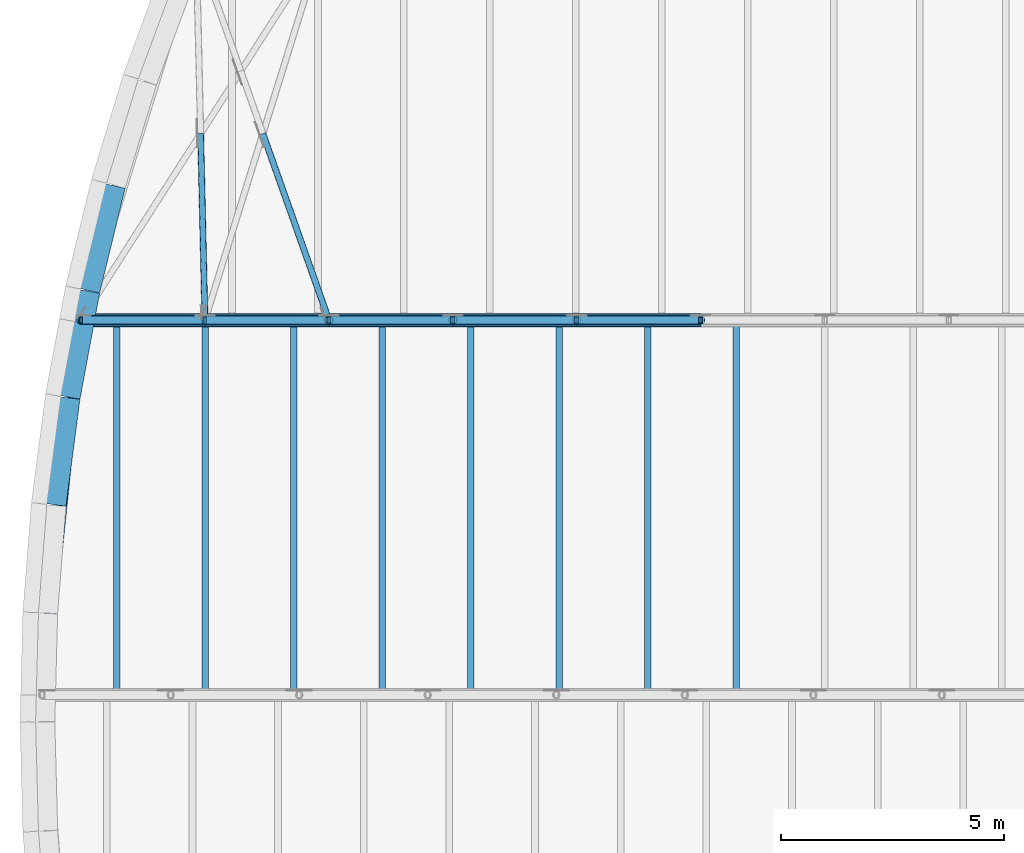
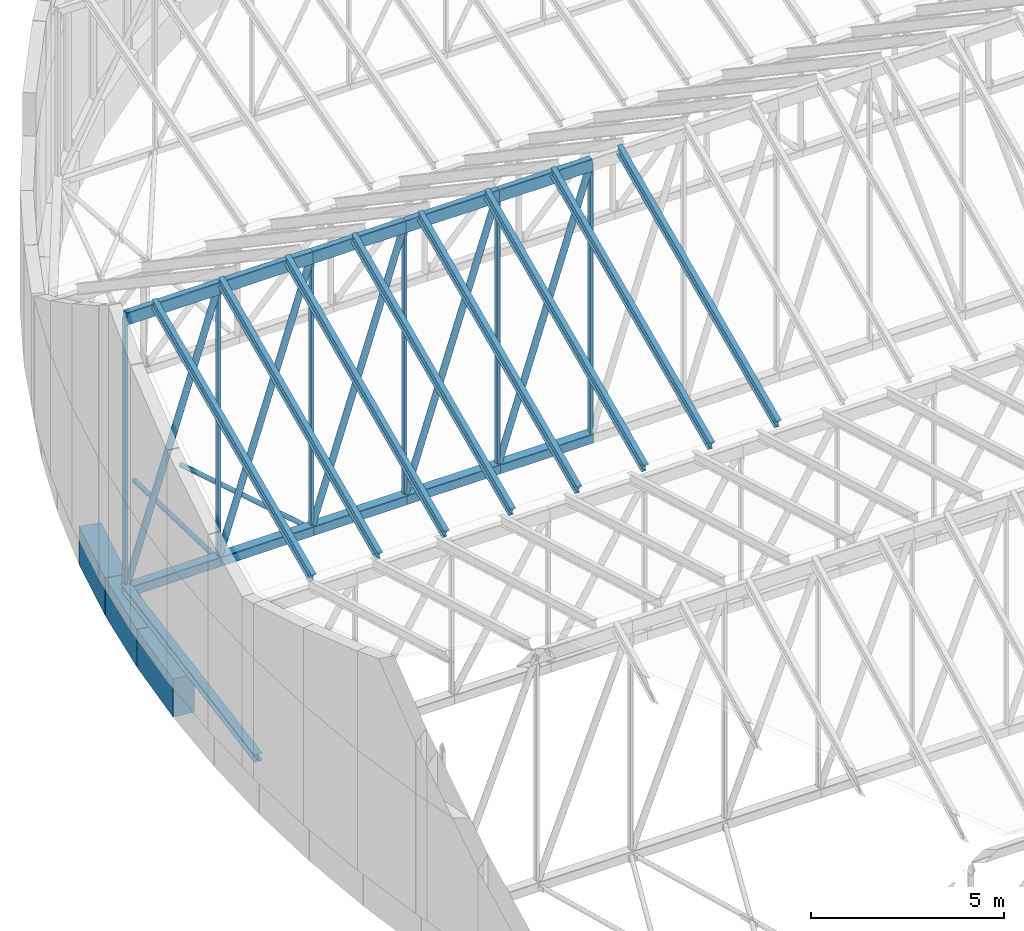
# One storey, part 20 of 68: 21 members, 14 beams.
"""IFC4 building model written with IfcOpenShell, lengths in metres."""

from ifc_helpers import new_model, si_unit, direction, frame, origin, origin_2d, place, context, subcontext, project, spatial, rectangle, hollow_rectangle, hollow_circle, i_section, extrude, material, material_profile, profile_set, type_object, element, save


model = new_model("IFC4")

# Units and contexts
model_context = context("Model", 3, precision=1e-05, world=origin(), true_north=direction((0.0, 1.0)))
body_context = subcontext(model_context, "Body", "Model", "MODEL_VIEW")
ifc_project = project(units=[si_unit("LENGTHUNIT", "METRE"), si_unit("AREAUNIT", "SQUARE_METRE"), si_unit("VOLUMEUNIT", "CUBIC_METRE"), si_unit("PLANEANGLEUNIT", "RADIAN"), si_unit("MASSUNIT", "GRAM", prefix="KILO")], contexts=[model_context])

# Site, building, storey
site_placement = place(None, origin())
site = spatial("IfcSite", under=ifc_project, at=site_placement, CompositionType="ELEMENT")
building_placement = place(site_placement, origin())
building = spatial("IfcBuilding", under=site, at=building_placement, Name="Larchfold Concert Hall", CompositionType="ELEMENT")
storey_placement = place(building_placement, frame((0.0, 0.0, 28.800048828125)))
storey = spatial("IfcBuildingStorey", under=building, at=storey_placement, Name="L06", CompositionType="ELEMENT", Elevation=28.800048828125)

# Beams
ifc_material_1 = material(Name="Concrete C40/50", Category="concrete")
ifc_material_profile_1 = material_profile(ifc_material_1, rectangle(XDim=0.60009765625, YDim=1.199951171875, at=origin_2d()))
ifc_profile_set_1 = profile_set([ifc_material_profile_1], Name="Concrete C40/50")
beam_type_1 = type_object("IfcBeamType", Name="Beam RC 600x1200", PredefinedType="BEAM", material=ifc_profile_set_1)
beam_1_placement = place(storey_placement, frame((19.683349609375, 96.623046875, -0.60009765625), z_axis=(-0.23594691304, -0.971765946217, 0.0), x_axis=(0.971765946217, -0.23594691304, 0.0)))
element("IfcBeam", 1, at=beam_1_placement, inside=storey, type_object=beam_type_1, Name="Beam RB34", PredefinedType="BEAM", context=body_context, shape_type="SweptSolid", body=[
    extrude(rectangle(XDim=0.60009765625, YDim=1.199951171875, at=origin_2d()), origin(), (0.0, 0.0, 1.0), 2.417236328125),
])
beam_2_placement = place(storey_placement, frame((19.109619140625, 94.258056640625, -0.60009765625), z_axis=(-0.182367681117, -0.98323040478, 0.0), x_axis=(0.98323040478, -0.182367681117, 0.0)))
element("IfcBeam", 2, at=beam_2_placement, inside=storey, type_object=beam_type_1, Name="Beam RB35", PredefinedType="BEAM", context=body_context, shape_type="SweptSolid", body=[
    extrude(rectangle(XDim=0.60009765625, YDim=1.199951171875, at=origin_2d()), origin(), (0.0, 0.0, 1.0), 2.417724609375),
])
beam_3_placement = place(storey_placement, frame((18.666259765625, 91.865234375, -0.60009765625), z_axis=(-0.12973626617, -0.991548537007, 0.0), x_axis=(0.991548537007, -0.12973626617, 0.0)))
element("IfcBeam", 3, at=beam_3_placement, inside=storey, type_object=beam_type_1, Name="Beam RB36", PredefinedType="BEAM", context=body_context, shape_type="SweptSolid", body=[
    extrude(rectangle(XDim=0.60009765625, YDim=1.199951171875, at=origin_2d()), origin(), (0.0, 0.0, 1.0), 2.418212890625),
])

# Members
ifc_material_2 = material(Name="Steel S355J2H", Category="steel")
ifc_material_profile_2 = material_profile(ifc_material_2, hollow_circle(Radius=0.06982421875, WallThickness=0.00634765625, at=origin_2d()))
ifc_profile_set_2 = profile_set([ifc_material_profile_2], Name="Steel S355J2H")
member_type_1 = type_object("IfcMemberType", Name="Bracing CHS 139.7x6.3", PredefinedType="BRACE", material=ifc_profile_set_2)
member_1_placement = place(storey_placement, frame((21.765380859375, 93.60009765625, 0.0), z_axis=(-0.02323867062, 0.999729945629, 0.0), x_axis=(-0.999729945629, -0.02323867062, 0.0)))
element("IfcMember", 4, at=member_1_placement, inside=storey, type_object=member_type_1, Name="Member FB026", PredefinedType="BRACE", context=body_context, shape_type="SweptSolid", body=[
    extrude(hollow_circle(Radius=0.06982421875, WallThickness=0.00634765625, at=origin_2d()), origin(), (0.0, 0.0, 1.0), 4.181396484375),
])
member_2_placement = place(storey_placement, frame((24.54345703125, 93.60009765625, 0.0), z_axis=(-0.333681020265, 0.942686043556, 0.0), x_axis=(-0.942686043556, -0.333681020265, 0.0)))
element("IfcMember", 5, at=member_2_placement, inside=storey, type_object=member_type_1, Name="Member FB029", PredefinedType="BRACE", context=body_context, shape_type="SweptSolid", body=[
    extrude(hollow_circle(Radius=0.06982421875, WallThickness=0.00634765625, at=origin_2d()), origin(), (0.0, 0.0, 1.0), 4.4345703125),
])
ifc_material_3 = material(Name="Steel S355", Category="steel")
ifc_material_profile_3 = material_profile(ifc_material_3, i_section(OverallWidth=0.14990234375, OverallDepth=0.300048828125, WebThickness=0.007080078125, FlangeThickness=0.0107421875, FilletRadius=0.014892578125, at=origin_2d()))
ifc_profile_set_3 = profile_set([ifc_material_profile_3], Name="Steel S355")
member_type_2 = type_object("IfcMemberType", Name="Rafter IPE 300", PredefinedType="RAFTER", material=ifc_profile_set_3)
for number, where, z_axis, x_axis, name in (
    (6, (19.78759765625, 85.280029296875, 5.144775390625), (0.0, 0.911121197743, 0.412138524072), (-1.0, 0.0, 0.0), "Member RF0066"),
    (7, (21.771240234375, 85.280029296875, 5.144775390625), (0.0, 0.911121197743, 0.412138524072), (-1.0, 0.0, 0.0), "Member RF0067"),
    (8, (23.7548828125, 85.280029296875, 5.144775390625), (0.0, 0.911121197743, 0.412138524072), (-1.0, 0.0, 0.0), "Member RF0068"),
    (9, (25.73876953125, 85.280029296875, 5.144775390625), (0.0, 0.911121197743, 0.412138524072), (-1.0, 0.0, 0.0), "Member RF0069"),
    (10, (27.722412109375, 85.280029296875, 5.144775390625), (0.0, 0.911121197743, 0.412138524072), (-1.0, 0.0, 0.0), "Member RF0070"),
    (11, (29.7060546875, 85.280029296875, 5.144775390625), (0.0, 0.911121197743, 0.412138524072), (-1.0, 0.0, 0.0), "Member RF0071"),
    (12, (31.689697265625, 85.280029296875, 5.144775390625), (0.0, 0.911121197743, 0.412138524072), (-1.0, 0.0, 0.0), "Member RF0072"),
    (13, (33.67333984375, 85.280029296875, 5.144775390625), (0.0, 0.911121197743, 0.412138524072), (-1.0, 0.0, 0.0), "Member RF0073"),
):
    element("IfcMember", number, at=place(storey_placement, frame(where, z_axis=z_axis, x_axis=x_axis)), inside=storey, type_object=member_type_2, Name=name, PredefinedType="RAFTER", context=body_context, shape_type="SweptSolid", body=[
        extrude(i_section(OverallWidth=0.14990234375, OverallDepth=0.300048828125, WebThickness=0.007080078125, FlangeThickness=0.0107421875, FilletRadius=0.014892578125, at=origin_2d()), origin(), (0.0, 0.0, 1.0), 9.043701171875),
    ])

# Beams
ifc_material_4 = material(Name="Steel S355", Category="steel")
ifc_material_profile_4 = material_profile(ifc_material_4, i_section(OverallWidth=0.239990234375, OverallDepth=0.22998046875, WebThickness=0.007568359375, FlangeThickness=0.011962890625, FilletRadius=0.02099609375, at=origin_2d()))
ifc_profile_set_4 = profile_set([ifc_material_profile_4], Name="Steel S355")
beam_type_2 = type_object("IfcBeamType", Name="Steel beam HEA 240", PredefinedType="BEAM", material=ifc_profile_set_4)
beam_4_placement = place(storey_placement, frame((18.115478515625, 85.199951171875, 0.114990234375), z_axis=(0.103261112529, 0.994654282974, 0.0), x_axis=(-0.994654282974, 0.103261112529, 0.0)))
element("IfcBeam", 14, at=beam_4_placement, inside=storey, type_object=beam_type_2, Name="Beam EM04", PredefinedType="BEAM", context=body_context, shape_type="SweptSolid", body=[
    extrude(i_section(OverallWidth=0.239990234375, OverallDepth=0.22998046875, WebThickness=0.007568359375, FlangeThickness=0.011962890625, FilletRadius=0.02099609375, at=origin_2d()), origin(), (0.0, 0.0, 1.0), 8.4453125),
])
ifc_material_5 = material(Name="Steel S355J2H", Category="steel")
ifc_material_profile_5 = material_profile(ifc_material_5, hollow_rectangle(XDim=0.199951171875, YDim=0.39990234375, WallThickness=0.012451171875, InnerFilletRadius=0.018798828125, OuterFilletRadius=0.03125, at=origin_2d()))
ifc_profile_set_5 = profile_set([ifc_material_profile_5], Name="Steel S355J2H")
beam_type_3 = type_object("IfcBeamType", Name="Truss chord RHS 400x200x12.5", PredefinedType="BEAM", material=ifc_profile_set_5)
beam_5_placement = place(storey_placement, frame((18.987548828125, 93.60009765625, 8.599853515625), z_axis=(1.0, 0.0, 0.0), x_axis=(0.0, 1.0, 0.0)))
element("IfcBeam", 15, at=beam_5_placement, inside=storey, type_object=beam_type_3, Name="Beam FT5T01", PredefinedType="BEAM", context=body_context, shape_type="SweptSolid", body=[
    extrude(hollow_rectangle(XDim=0.199951171875, YDim=0.39990234375, WallThickness=0.012451171875, InnerFilletRadius=0.018798828125, OuterFilletRadius=0.03125, at=origin_2d()), origin(), (0.0, 0.0, 1.0), 2.77783203125),
])
beam_6_placement = place(storey_placement, frame((21.765380859375, 93.60009765625, 8.599853515625), z_axis=(1.0, 0.0, 0.0), x_axis=(0.0, 1.0, 0.0)))
element("IfcBeam", 16, at=beam_6_placement, inside=storey, type_object=beam_type_3, Name="Beam FT5T02", PredefinedType="BEAM", context=body_context, shape_type="SweptSolid", body=[
    extrude(hollow_rectangle(XDim=0.199951171875, YDim=0.39990234375, WallThickness=0.012451171875, InnerFilletRadius=0.018798828125, OuterFilletRadius=0.03125, at=origin_2d()), origin(), (0.0, 0.0, 1.0), 2.778076171875),
])
beam_7_placement = place(storey_placement, frame((24.54345703125, 93.60009765625, 8.599853515625), z_axis=(1.0, 0.0, 0.0), x_axis=(0.0, 1.0, 0.0)))
element("IfcBeam", 17, at=beam_7_placement, inside=storey, type_object=beam_type_3, Name="Beam FT5T03", PredefinedType="BEAM", context=body_context, shape_type="SweptSolid", body=[
    extrude(hollow_rectangle(XDim=0.199951171875, YDim=0.39990234375, WallThickness=0.012451171875, InnerFilletRadius=0.018798828125, OuterFilletRadius=0.03125, at=origin_2d()), origin(), (0.0, 0.0, 1.0), 2.77783203125),
])
beam_8_placement = place(storey_placement, frame((27.3212890625, 93.60009765625, 8.599853515625), z_axis=(1.0, 0.0, 0.0), x_axis=(0.0, 1.0, 0.0)))
element("IfcBeam", 18, at=beam_8_placement, inside=storey, type_object=beam_type_3, Name="Beam FT5T04", PredefinedType="BEAM", context=body_context, shape_type="SweptSolid", body=[
    extrude(hollow_rectangle(XDim=0.199951171875, YDim=0.39990234375, WallThickness=0.012451171875, InnerFilletRadius=0.018798828125, OuterFilletRadius=0.03125, at=origin_2d()), origin(), (0.0, 0.0, 1.0), 2.778076171875),
])
beam_9_placement = place(storey_placement, frame((30.099365234375, 93.60009765625, 8.599853515625), z_axis=(1.0, 0.0, 0.0), x_axis=(0.0, 1.0, 0.0)))
element("IfcBeam", 19, at=beam_9_placement, inside=storey, type_object=beam_type_3, Name="Beam FT5T05", PredefinedType="BEAM", context=body_context, shape_type="SweptSolid", body=[
    extrude(hollow_rectangle(XDim=0.199951171875, YDim=0.39990234375, WallThickness=0.012451171875, InnerFilletRadius=0.018798828125, OuterFilletRadius=0.03125, at=origin_2d()), origin(), (0.0, 0.0, 1.0), 2.77783203125),
])

# Members
ifc_material_6 = material(Name="Steel S355J2H", Category="steel")
ifc_material_profile_6 = material_profile(ifc_material_6, hollow_rectangle(XDim=0.10009765625, YDim=0.14990234375, WallThickness=0.008056640625, InnerFilletRadius=0.008056640625, OuterFilletRadius=0.01611328125, at=origin_2d()))
ifc_profile_set_6 = profile_set([ifc_material_profile_6], Name="Steel S355J2H")
member_type_3 = type_object("IfcMemberType", Name="Truss post RHS 150x100x8", PredefinedType="POST", material=ifc_profile_set_6)
for number, where, z_axis, x_axis, name in (
    (20, (18.987548828125, 93.60009765625, 8.599853515625), (0.0, 0.0, -1.0), (1.0, 0.0, 0.0), "Member FT5V01"),
    (21, (21.765380859375, 93.60009765625, 8.599853515625), (0.0, 0.0, -1.0), (1.0, 0.0, 0.0), "Member FT5V02"),
    (22, (24.54345703125, 93.60009765625, 8.599853515625), (0.0, 0.0, -1.0), (1.0, 0.0, 0.0), "Member FT5V03"),
    (23, (27.3212890625, 93.60009765625, 8.599853515625), (0.0, 0.0, -1.0), (1.0, 0.0, 0.0), "Member FT5V04"),
    (24, (30.099365234375, 93.60009765625, 8.599853515625), (0.0, 0.0, -1.0), (1.0, 0.0, 0.0), "Member FT5V05"),
    (25, (32.877197265625, 93.60009765625, 8.599853515625), (0.0, 0.0, -1.0), (1.0, 0.0, 0.0), "Member FT5V06"),
):
    element("IfcMember", number, at=place(storey_placement, frame(where, z_axis=z_axis, x_axis=x_axis)), inside=storey, type_object=member_type_3, Name=name, PredefinedType="POST", context=body_context, shape_type="SweptSolid", body=[
        extrude(hollow_rectangle(XDim=0.10009765625, YDim=0.14990234375, WallThickness=0.008056640625, InnerFilletRadius=0.008056640625, OuterFilletRadius=0.01611328125, at=origin_2d()), origin(), (0.0, 0.0, 1.0), 8.599853515625),
    ])

# Beams
ifc_material_7 = material(Name="Steel S355J2H", Category="steel")
ifc_material_profile_7 = material_profile(ifc_material_7, hollow_rectangle(XDim=0.300048828125, YDim=0.300048828125, WallThickness=0.012451171875, InnerFilletRadius=0.018798828125, OuterFilletRadius=0.03125, at=origin_2d()))
ifc_profile_set_7 = profile_set([ifc_material_profile_7], Name="Steel S355J2H")
beam_type_4 = type_object("IfcBeamType", Name="Truss tie SHS 300x300x12.5", PredefinedType="BEAM", material=ifc_profile_set_7)
beam_10_placement = place(storey_placement, frame((18.987548828125, 93.60009765625, 0.0), z_axis=(1.0, 0.0, 0.0), x_axis=(0.0, 1.0, 0.0)))
element("IfcBeam", 26, at=beam_10_placement, inside=storey, type_object=beam_type_4, Name="Beam FT5B01", PredefinedType="BEAM", context=body_context, shape_type="SweptSolid", body=[
    extrude(hollow_rectangle(XDim=0.300048828125, YDim=0.300048828125, WallThickness=0.012451171875, InnerFilletRadius=0.018798828125, OuterFilletRadius=0.03125, at=origin_2d()), origin(), (0.0, 0.0, 1.0), 2.77783203125),
])
beam_11_placement = place(storey_placement, frame((21.765380859375, 93.60009765625, 0.0), z_axis=(1.0, 0.0, 0.0), x_axis=(0.0, 1.0, 0.0)))
element("IfcBeam", 27, at=beam_11_placement, inside=storey, type_object=beam_type_4, Name="Beam FT5B02", PredefinedType="BEAM", context=body_context, shape_type="SweptSolid", body=[
    extrude(hollow_rectangle(XDim=0.300048828125, YDim=0.300048828125, WallThickness=0.012451171875, InnerFilletRadius=0.018798828125, OuterFilletRadius=0.03125, at=origin_2d()), origin(), (0.0, 0.0, 1.0), 2.778076171875),
])
beam_12_placement = place(storey_placement, frame((24.54345703125, 93.60009765625, 0.0), z_axis=(1.0, 0.0, 0.0), x_axis=(0.0, 1.0, 0.0)))
element("IfcBeam", 28, at=beam_12_placement, inside=storey, type_object=beam_type_4, Name="Beam FT5B03", PredefinedType="BEAM", context=body_context, shape_type="SweptSolid", body=[
    extrude(hollow_rectangle(XDim=0.300048828125, YDim=0.300048828125, WallThickness=0.012451171875, InnerFilletRadius=0.018798828125, OuterFilletRadius=0.03125, at=origin_2d()), origin(), (0.0, 0.0, 1.0), 2.77783203125),
])
beam_13_placement = place(storey_placement, frame((27.3212890625, 93.60009765625, 0.0), z_axis=(1.0, 0.0, 0.0), x_axis=(0.0, 1.0, 0.0)))
element("IfcBeam", 29, at=beam_13_placement, inside=storey, type_object=beam_type_4, Name="Beam FT5B04", PredefinedType="BEAM", context=body_context, shape_type="SweptSolid", body=[
    extrude(hollow_rectangle(XDim=0.300048828125, YDim=0.300048828125, WallThickness=0.012451171875, InnerFilletRadius=0.018798828125, OuterFilletRadius=0.03125, at=origin_2d()), origin(), (0.0, 0.0, 1.0), 2.778076171875),
])
beam_14_placement = place(storey_placement, frame((30.099365234375, 93.60009765625, 0.0), z_axis=(1.0, 0.0, 0.0), x_axis=(0.0, 1.0, 0.0)))
element("IfcBeam", 30, at=beam_14_placement, inside=storey, type_object=beam_type_4, Name="Beam FT5B05", PredefinedType="BEAM", context=body_context, shape_type="SweptSolid", body=[
    extrude(hollow_rectangle(XDim=0.300048828125, YDim=0.300048828125, WallThickness=0.012451171875, InnerFilletRadius=0.018798828125, OuterFilletRadius=0.03125, at=origin_2d()), origin(), (0.0, 0.0, 1.0), 2.77783203125),
])

# Members
ifc_material_8 = material(Name="Steel S355J2H", Category="steel")
ifc_material_profile_8 = material_profile(ifc_material_8, hollow_circle(Radius=0.096923828125, WallThickness=0.008056640625, at=origin_2d()))
ifc_profile_set_8 = profile_set([ifc_material_profile_8], Name="Steel S355J2H")
member_type_4 = type_object("IfcMemberType", Name="Truss web CHS 193.7x8", PredefinedType="BRACE", material=ifc_profile_set_8)
for number, where, z_axis, x_axis, name in (
    (31, (18.987548828125, 93.60009765625, 0.0), (0.307372151575, 0.0, 0.951589386467), (0.0, 1.0, 0.0), "Member FT5D01"),
    (32, (21.765380859375, 93.60009765625, 0.0), (0.307396613597, 0.0, 0.951581484661), (0.0, 1.0, 0.0), "Member FT5D02"),
    (33, (24.54345703125, 93.60009765625, 0.0), (0.307372151575, 0.0, 0.951589386467), (0.0, 1.0, 0.0), "Member FT5D03"),
    (34, (27.3212890625, 93.60009765625, 0.0), (0.307396613597, 0.0, 0.951581484661), (0.0, 1.0, 0.0), "Member FT5D04"),
    (35, (30.099365234375, 93.60009765625, 0.0), (0.307372151575, 0.0, 0.951589386467), (0.0, 1.0, 0.0), "Member FT5D05"),
):
    element("IfcMember", number, at=place(storey_placement, frame(where, z_axis=z_axis, x_axis=x_axis)), inside=storey, type_object=member_type_4, Name=name, PredefinedType="BRACE", context=body_context, shape_type="SweptSolid", body=[
        extrude(hollow_circle(Radius=0.096923828125, WallThickness=0.008056640625, at=origin_2d()), origin(), (0.0, 0.0, 1.0), 9.037353515625),
    ])

save(model, "model.ifc")
